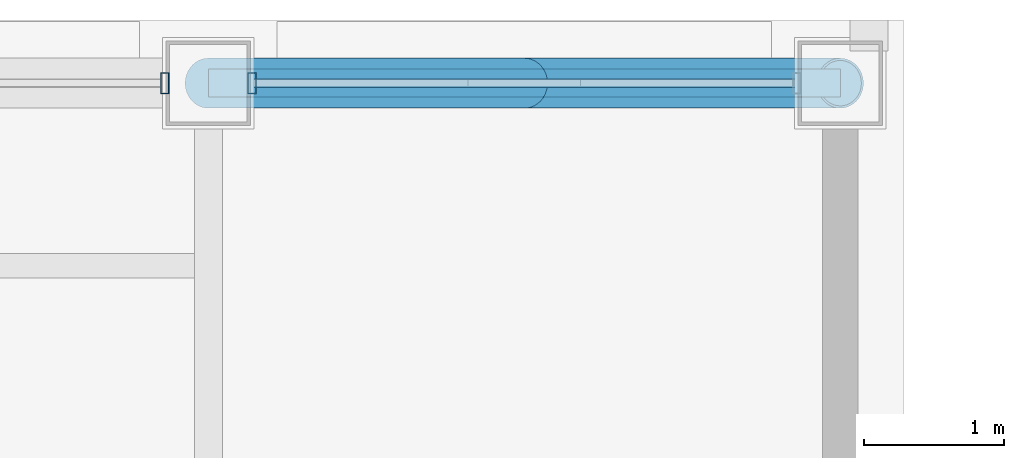
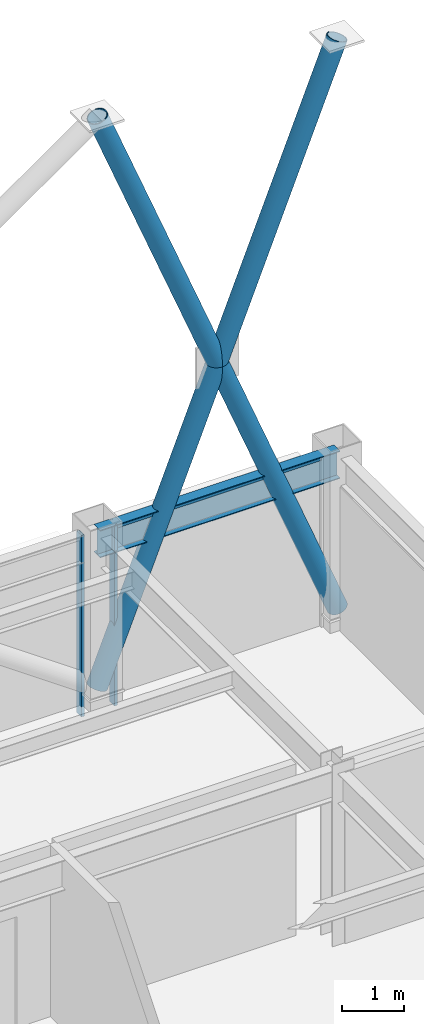
# One storey, part 18 of 24: 6 members, 1 beam, 2 elements without a shape of their own.
"""IFC4 building model written with IfcOpenShell, lengths in metres."""

from ifc_helpers import new_model, si_unit, direction, frame, origin, origin_2d, place, context, subcontext, project, spatial, hollow_rectangle, hollow_circle, i_section, extrude, material, layer, layer_set, material_profile, profile_set, type_object, element, aggregate, save


model = new_model("IFC4")

# Units and contexts
model_context = context("Model", 3, precision=1e-05, world=origin(), true_north=direction((0.0, 1.0)))
body_context = subcontext(model_context, "Body", "Model", "MODEL_VIEW")
ifc_project = project(units=[si_unit("LENGTHUNIT", "METRE"), si_unit("AREAUNIT", "SQUARE_METRE"), si_unit("VOLUMEUNIT", "CUBIC_METRE"), si_unit("PLANEANGLEUNIT", "RADIAN"), si_unit("MASSUNIT", "GRAM", prefix="KILO")], contexts=[model_context])

# Site, building, storey
site_placement = place(None, origin())
site = spatial("IfcSite", under=ifc_project, at=site_placement, CompositionType="ELEMENT")
building_placement = place(site_placement, origin())
building = spatial("IfcBuilding", under=site, at=building_placement, Name="Brelmoor Portico Tower", CompositionType="ELEMENT")
storey_placement = place(building_placement, frame((0.0, 0.0, 268.800048828125)))
storey = spatial("IfcBuildingStorey", under=building, at=storey_placement, Name="L71", CompositionType="ELEMENT", Elevation=268.800048828125)

# Beam
ifc_material_1 = material(Name="Steel Q355B", Category="steel")
ifc_material_profile_1 = material_profile(ifc_material_1, i_section(OverallWidth=0.199951171875, OverallDepth=0.550048828125, WebThickness=0.010009765625, FlangeThickness=0.01611328125, at=origin_2d()), Name="HN 550x200x10x16")
ifc_profile_set_1 = profile_set([ifc_material_profile_1], Name="Steel Q355B")
beam_type = type_object("IfcBeamType", Name="BM-SP-550", PredefinedType="SPANDREL", material=ifc_profile_set_1)
beam_placement = place(storey_placement, frame((8.050048828125, 17.550048828125, 3.125), z_axis=(1.0, 0.0, 0.0), x_axis=(0.0, 1.0, 0.0)))
element("IfcBeam", 1, at=beam_placement, inside=storey, type_object=beam_type, Name="L71 Perimeter Spandrel Beam SP-10", PredefinedType="SPANDREL", context=body_context, shape_type="SweptSolid", body=[
    extrude(i_section(OverallWidth=0.199951171875, OverallDepth=0.550048828125, WebThickness=0.010009765625, FlangeThickness=0.01611328125, at=origin_2d()), origin(), (0.0, 0.0, 1.0), 4.5),
])

# Members
ifc_material_profile_2 = material_profile(ifc_material_1, hollow_circle(Radius=0.177978515625, WallThickness=0.01611328125, at=origin_2d()), Name="CHS 356x16")
ifc_profile_set_2 = profile_set([ifc_material_profile_2], Name="Steel Q355B")
member_type_1 = type_object("IfcMemberType", Name="MB-BELT-DIAG2", PredefinedType="BRACE", material=ifc_profile_set_2)
member_1_placement = place(storey_placement, frame((8.050048828125, 17.550048828125, 0.25), z_axis=(0.369971343663, 0.0, 0.929043166311), x_axis=(0.0, 1.0, 0.0)))
element("IfcMember", 2, at=member_1_placement, inside=storey, type_object=member_type_1, Name="L71 Continuous Mega-X Brace 160A", PredefinedType="BRACE", context=body_context, shape_type="SweptSolid", body=[
    extrude(hollow_circle(Radius=0.177978515625, WallThickness=0.01611328125, at=origin_2d()), origin(), (0.0, 0.0, 1.0), 12.1630859375),
])
member_2_placement = place(storey_placement, frame((12.550048828125, 17.550048828125, 0.25), z_axis=(-0.369978242995, 0.0, 0.929040418771), x_axis=(0.0, -1.0, 0.0)))
element("IfcMember", 3, at=member_2_placement, inside=storey, type_object=member_type_1, Name="L71 Split Mega-X Brace 160B1", PredefinedType="BRACE", context=body_context, shape_type="SweptSolid", body=[
    extrude(hollow_circle(Radius=0.177978515625, WallThickness=0.01611328125, at=origin_2d()), origin(), (0.0, 0.0, 1.0), 6.08154296875),
])
member_3_placement = place(storey_placement, frame((10.300048828125, 17.550048828125, 5.89990234375), z_axis=(-0.369964444567, 0.0, 0.929045913696), x_axis=(0.0, -1.0, 0.0)))
element("IfcMember", 4, at=member_3_placement, inside=storey, type_object=member_type_1, Name="L71 Split Mega-X Brace 160B2", PredefinedType="BRACE", context=body_context, shape_type="SweptSolid", body=[
    extrude(hollow_circle(Radius=0.177978515625, WallThickness=0.01611328125, at=origin_2d()), origin(), (0.0, 0.0, 1.0), 6.081787109375),
])

# Curtain wall, member
ifc_material_2 = material(Name="Anodised Aluminium Alloy 6063-T6", Category="aluminium")
ifc_layer = layer(ifc_material_2, 0.179931640625)
ifc_layer_set = layer_set([ifc_layer], Name="Anodised Aluminium Alloy 6063-T6")
curtain_wall_type = type_object("IfcCurtainWallType", Name="CW-TOWER-Z4-XB", PredefinedType="NOTDEFINED", material=ifc_layer_set)
curtain_wall_1_placement = place(storey_placement, origin())
curtain_wall_1 = element("IfcCurtainWall", 5, at=curtain_wall_1_placement, inside=storey, type_object=curtain_wall_type, Name="L71 Curtain Wall CW-L71-02-2", PredefinedType="NOTDEFINED")
ifc_material_profile_3 = material_profile(ifc_material_2, hollow_rectangle(XDim=0.06005859375, YDim=0.14990234375, WallThickness=0.00390625, at=origin_2d()), Name="ALU MULLION 60x150")
ifc_profile_set_3 = profile_set([ifc_material_profile_3], Name="Anodised Aluminium Alloy 6063-T6")
member_type_2 = type_object("IfcMemberType", Name="MB-CW-MULL-150", PredefinedType="MULLION", material=ifc_profile_set_3)
member_4_placement = place(storey_placement, frame((7.739990234375, 17.550048828125, -0.199951171875), z_axis=(0.0, 0.0, 1.0), x_axis=(1.0, 0.0, 0.0)))
member_4 = element("IfcMember", 6, at=member_4_placement, type_object=member_type_2, Name="CW-L71-02-2 Mullion 01", PredefinedType="MULLION", context=body_context, shape_type="SweptSolid", body=[
    extrude(hollow_rectangle(XDim=0.06005859375, YDim=0.14990234375, WallThickness=0.00390625, at=origin_2d()), origin(), (0.0, 0.0, 1.0), 3.599853515625),
])
aggregate(curtain_wall_1, [member_4])

# Curtain wall, members
curtain_wall_2_placement = place(storey_placement, origin())
curtain_wall_2 = element("IfcCurtainWall", 7, at=curtain_wall_2_placement, inside=storey, type_object=curtain_wall_type, Name="L71 Curtain Wall CW-L71-02-3", PredefinedType="NOTDEFINED")
member_5_placement = place(storey_placement, frame((8.360107421875, 17.550048828125, -0.199951171875), z_axis=(0.0, 0.0, 1.0), x_axis=(1.0, 0.0, 0.0)))
member_5 = element("IfcMember", 8, at=member_5_placement, type_object=member_type_2, Name="CW-L71-02-3 Mullion 00", PredefinedType="MULLION", context=body_context, shape_type="SweptSolid", body=[
    extrude(hollow_rectangle(XDim=0.06005859375, YDim=0.14990234375, WallThickness=0.00390625, at=origin_2d()), origin(), (0.0, 0.0, 1.0), 3.599853515625),
])
ifc_material_profile_4 = material_profile(ifc_material_2, hollow_rectangle(XDim=0.06005859375, YDim=0.125, WallThickness=0.00341796875, at=origin_2d()), Name="ALU TRANSOM 60x125")
ifc_profile_set_4 = profile_set([ifc_material_profile_4], Name="Anodised Aluminium Alloy 6063-T6")
member_type_3 = type_object("IfcMemberType", Name="MB-CW-TRAN-125", PredefinedType="USERDEFINED", material=ifc_profile_set_4)
member_6_placement = place(storey_placement, frame((8.360107421875, 17.550048828125, 3.33740234375), z_axis=(1.0, 0.0, 0.0), x_axis=(0.0, 1.0, 0.0)))
member_6 = element("IfcMember", 9, at=member_6_placement, type_object=member_type_3, Name="CW-L71-02-3 Transom 1-00", ObjectType="TRANSOM", PredefinedType="USERDEFINED", context=body_context, shape_type="SweptSolid", body=[
    extrude(hollow_rectangle(XDim=0.06005859375, YDim=0.125, WallThickness=0.00341796875, at=origin_2d()), origin(), (0.0, 0.0, 1.0), 3.8798828125),
])
aggregate(curtain_wall_2, [member_5, member_6])

save(model, "model.ifc")
